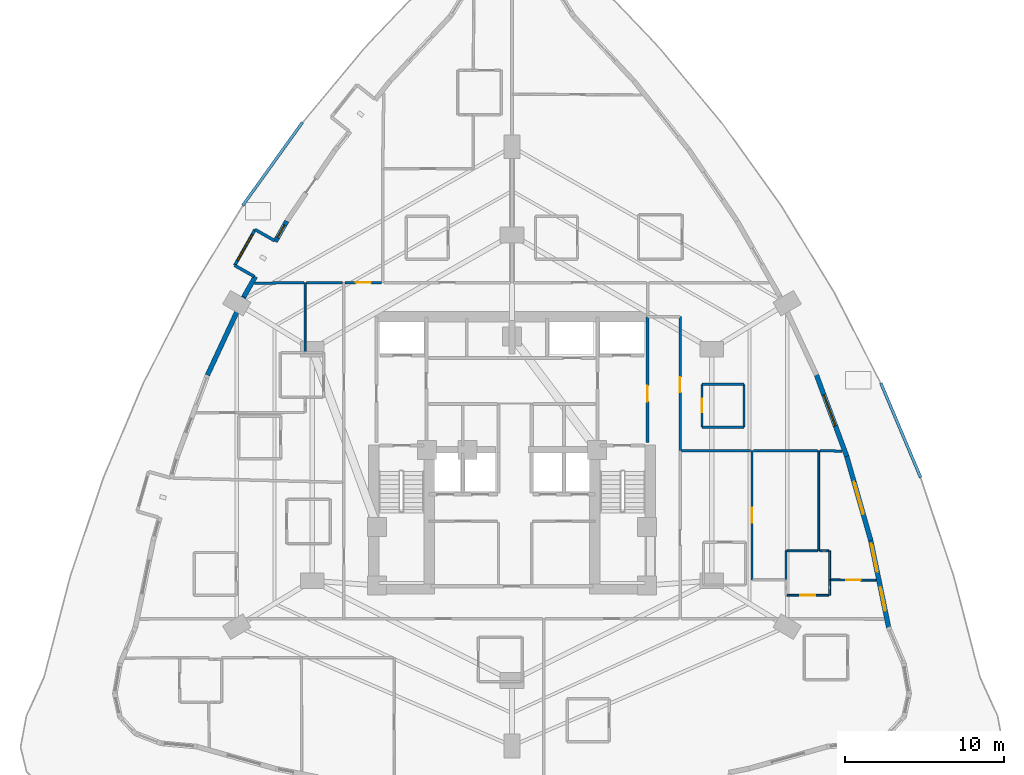
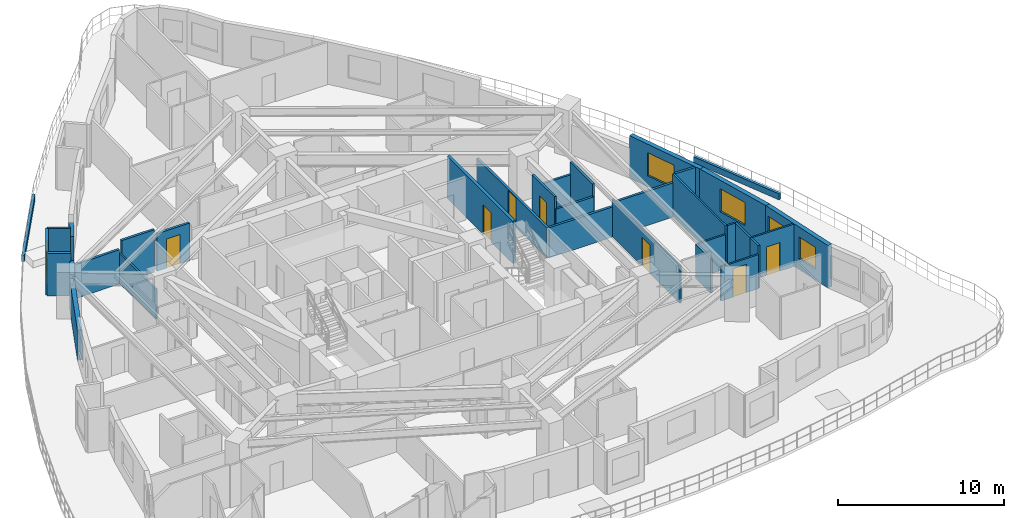
# One storey, part 12 of 17: 33 walls, 7 doors, 6 windows, 13 openings.
"""IFC4 building model written with IfcOpenShell, lengths in metres."""

from ifc_helpers import new_model, si_unit, direction, frame, frame_2d, origin, place, context, subcontext, project, spatial, rectangle, extrude, material, layer, layer_set, type_object, element, fill, save


model = new_model("IFC4")

# Units and contexts
model_context = context("Model", 3, precision=1e-05, world=origin(), true_north=direction((0.0, 1.0)))
body_context = subcontext(model_context, "Body", "Model", "MODEL_VIEW")
ifc_project = project(units=[si_unit("LENGTHUNIT", "METRE"), si_unit("AREAUNIT", "SQUARE_METRE"), si_unit("VOLUMEUNIT", "CUBIC_METRE"), si_unit("PLANEANGLEUNIT", "RADIAN"), si_unit("MASSUNIT", "GRAM", prefix="KILO")], contexts=[model_context])

# Site, building, storey
site_placement = place(None, origin())
site = spatial("IfcSite", under=ifc_project, at=site_placement, CompositionType="ELEMENT")
building_placement = place(site_placement, origin())
building = spatial("IfcBuilding", under=site, at=building_placement, Name="Miruveldt Soraemaru", CompositionType="ELEMENT")
storey_placement = place(building_placement, frame((0.0, 0.0, 29.199951171875)))
storey = spatial("IfcBuildingStorey", under=building, at=storey_placement, Name="L07", CompositionType="ELEMENT", Elevation=29.199951171875)

# Walls
ifc_material_1 = material(Name="White powder-coated aluminium EN AW-6060 T6", Category="aluminium")
ifc_layer_1 = layer(ifc_material_1, 0.18994140625, Name="White powder-coated aluminium EN AW-6060 T6", Category="aluminium")
ifc_layer_set_1 = layer_set([ifc_layer_1], Name="White powder-coated aluminium EN AW-6060 T6")
wall_type_1 = type_object("IfcWallType", Name="WALL-BAY-ALU190", PredefinedType="SOLIDWALL", material=ifc_layer_set_1)
wall_1_placement = place(storey_placement, frame((29.03466796875, 57.241943359375, 0.0), z_axis=(0.0, 0.0, 1.0), x_axis=(-0.869799191674, 0.493405883794, 0.0)))
element("IfcWall", 1, at=wall_1_placement, inside=storey, type_object=wall_type_1, Name="L07 Bay Window Side Cheek 2L", PredefinedType="SOLIDWALL", context=body_context, shape_type="SweptSolid", body=[
    extrude(rectangle(XDim=1.425048828125, YDim=0.18994140625, at=frame_2d((0.71240234375, 0.0))), origin(), (0.0, 0.0, 1.0), 3.125),
])
wall_2_placement = place(storey_placement, frame((26.51220703125, 55.683349609375, 0.0), z_axis=(0.0, 0.0, 1.0), x_axis=(0.869840890461, -0.493332367965, 0.0)))
element("IfcWall", 2, at=wall_2_placement, inside=storey, type_object=wall_type_1, Name="L07 Bay Window Side Cheek 2R", PredefinedType="SOLIDWALL", context=body_context, shape_type="SweptSolid", body=[
    extrude(rectangle(XDim=1.42529296875, YDim=0.18994140625, at=frame_2d((0.712646484375, 0.0))), origin(), (0.0, 0.0, 1.0), 3.125),
])

# Wall, opening, window
wall_3_placement = place(storey_placement, frame((27.795166015625, 57.945068359375, 0.0), z_axis=(0.0, 0.0, 1.0), x_axis=(-0.493396299813, -0.869804628253, 0.0)))
wall_3 = element("IfcWall", 3, at=wall_3_placement, inside=storey, type_object=wall_type_1, Name="L07 Bay Window Front Frame 2", PredefinedType="SOLIDWALL", context=body_context, shape_type="SweptSolid", body=[
    extrude(rectangle(XDim=2.600341796875, YDim=0.18994140625, at=frame_2d((1.30029296875, 0.0))), origin(), (0.0, 0.0, 1.0), 3.125),
])
opening_1_placement = place(wall_3_placement, frame((0.35009765625, 0.0, 0.550048828125)))
opening_1 = element("IfcOpeningElement", 4, at=opening_1_placement, cuts=wall_3, Name="Opening WN-6", PredefinedType="OPENING", context=body_context, shape_type="SweptSolid", body=[
    extrude(rectangle(XDim=1.89990234375, YDim=1.85009765625, at=frame_2d((0.949951171875, 0.925048828125))), frame((0.0, 0.10498046875, 0.0), z_axis=(0.0, -1.0, 0.0), x_axis=(1.0, 0.0, 0.0)), (0.0, 0.0, 1.0), 0.2099609375),
])
ifc_material_2 = material(Name="Triple low-e insulated glazing", Category="glass")
window_type_1 = type_object("IfcWindowType", Name="WIN-BAYW-1900x1850", PartitioningType="SINGLE_PANEL", PredefinedType="WINDOW", material=ifc_material_2)
window_1_placement = place(opening_1_placement, origin())
window_1 = element("IfcWindow", 5, at=window_1_placement, inside=storey, type_object=window_type_1, Name="L07 Projecting Bay Window 2", OverallHeight=1.85009765625, OverallWidth=1.89990234375, PartitioningType="SINGLE_PANEL", PredefinedType="WINDOW", context=body_context, shape_type="SweptSolid", body=[
    extrude(rectangle(XDim=1.89990234375, YDim=1.85009765625, at=frame_2d((0.949951171875, 0.925048828125))), frame((0.0, 0.030029296875, 0.0), z_axis=(0.0, -1.0, 0.0), x_axis=(1.0, 0.0, 0.0)), (0.0, 0.0, 1.0), 0.06005859375),
])
fill(opening_1, window_1)

ifc_material_3 = material(Name="Precast concrete C45/55 (45 MPa)", Category="concrete")
ifc_layer_2 = layer(ifc_material_3, 0.300048828125, Name="Precast concrete C45/55 (45 MPa)", Category="concrete")
ifc_layer_set_2 = layer_set([ifc_layer_2], Name="Precast concrete C45/55 (45 MPa)")
wall_type_2 = type_object("IfcWallType", Name="WALL-EXT-PC300", PredefinedType="SOLIDWALL", material=ifc_layer_set_2)
wall_4_placement = place(storey_placement, frame((29.7978515625, 58.47607421875, 0.0), z_axis=(0.0, 0.0, 1.0), x_axis=(-0.493382949602, -0.86981220102, 0.0)))
wall_4 = element("IfcWall", 6, at=wall_4_placement, inside=storey, type_object=wall_type_2, Name="L07 Precast Pier Wall 10A", PredefinedType="SOLIDWALL", context=body_context, shape_type="SweptSolid", body=[
    extrude(rectangle(XDim=1.47998046875, YDim=0.300048828125, at=frame_2d((0.739990234375, 0.0))), origin(), (0.0, 0.0, 1.0), 2.512939453125),
])
opening_2_placement = place(wall_4_placement, frame((0.2900390625, 0.0, 0.780029296875)))
opening_2 = element("IfcOpeningElement", 7, at=opening_2_placement, cuts=wall_4, Name="Opening WN-7", PredefinedType="OPENING", context=body_context, shape_type="SweptSolid", body=[
    extrude(rectangle(XDim=0.89990234375, YDim=1.5, at=frame_2d((0.449951171875, 0.75))), frame((0.0, 0.16015625, 0.0), z_axis=(0.0, -1.0, 0.0), x_axis=(1.0, 0.0, 0.0)), (0.0, 0.0, 1.0), 0.320068359375),
])
window_type_2 = type_object("IfcWindowType", Name="WIN-PUNCH-900x1500", PartitioningType="SINGLE_PANEL", PredefinedType="WINDOW", material=ifc_material_2)
window_2_placement = place(opening_2_placement, origin())
window_2 = element("IfcWindow", 8, at=window_2_placement, inside=storey, type_object=window_type_2, Name="L07 Punched Triple-Glazed Window 10A.1", OverallHeight=1.5, OverallWidth=0.89990234375, PartitioningType="SINGLE_PANEL", PredefinedType="WINDOW", context=body_context, shape_type="SweptSolid", body=[
    extrude(rectangle(XDim=0.89990234375, YDim=1.5, at=frame_2d((0.449951171875, 0.75))), frame((0.0, 0.030029296875, 0.0), z_axis=(0.0, -1.0, 0.0), x_axis=(1.0, 0.0, 0.0)), (0.0, 0.0, 1.0), 0.06005859375),
])
fill(opening_2, window_2)

# Walls
wall_5_placement = place(storey_placement, frame((27.814453125, 54.979248046875, 0.0), z_axis=(0.0, 0.0, 1.0), x_axis=(-0.493382949602, -0.86981220102, 0.0)))
element("IfcWall", 9, at=wall_5_placement, inside=storey, type_object=wall_type_2, Name="L07 Precast Pier Wall 10B", PredefinedType="SOLIDWALL", context=body_context, shape_type="SweptSolid", body=[
    extrude(rectangle(XDim=1.47998046875, YDim=0.300048828125, at=frame_2d((0.739990234375, 0.0))), origin(), (0.0, 0.0, 1.0), 2.512939453125),
])
wall_6_placement = place(storey_placement, frame((27.116455078125, 53.75390625, 0.0), z_axis=(0.0, 0.0, 1.0), x_axis=(-0.422309467153, -0.906451716284, 0.0)))
element("IfcWall", 10, at=wall_6_placement, inside=storey, type_object=wall_type_2, Name="L07 Precast Concrete Facade Wall 11", PredefinedType="SOLIDWALL", context=body_context, shape_type="SweptSolid", body=[
    extrude(rectangle(XDim=5.500244140625, YDim=0.300048828125, at=frame_2d((2.75, 0.0))), origin(), (0.0, 0.0, 1.0), 2.213134765625),
])

# Wall, openings, windows
wall_7_placement = place(storey_placement, frame((67.763427734375, 32.8056640625, 0.0), z_axis=(0.0, 0.0, 1.0), x_axis=(-0.201578050416, 0.979472454738, 0.0)))
wall_7 = element("IfcWall", 11, at=wall_7_placement, inside=storey, type_object=wall_type_2, Name="L07 Precast Concrete Facade Wall 35", PredefinedType="SOLIDWALL", context=body_context, shape_type="SweptSolid", body=[
    extrude(rectangle(XDim=5.70458984375, YDim=0.300048828125, at=frame_2d((2.852294921875, 0.0))), origin(), (0.0, 0.0, 1.0), 3.125),
])
opening_3_placement = place(wall_7_placement, frame((1.1240234375, 0.0, 0.800048828125)))
opening_3 = element("IfcOpeningElement", 12, at=opening_3_placement, cuts=wall_7, Name="Opening WN-3", PredefinedType="OPENING", context=body_context, shape_type="SweptSolid", body=[
    extrude(rectangle(XDim=1.5, YDim=1.60009765625, at=frame_2d((0.75, 0.800048828125))), frame((0.0, 0.16015625, 0.0), z_axis=(0.0, -1.0, 0.0), x_axis=(1.0, 0.0, 0.0)), (0.0, 0.0, 1.0), 0.320068359375),
])
opening_4_placement = place(wall_7_placement, frame((3.635009765625, 0.0, 0.800048828125)))
opening_4 = element("IfcOpeningElement", 13, at=opening_4_placement, cuts=wall_7, Name="Opening WN-2", PredefinedType="OPENING", context=body_context, shape_type="SweptSolid", body=[
    extrude(rectangle(XDim=1.800048828125, YDim=1.64990234375, at=frame_2d((0.89990234375, 0.824951171875))), frame((0.0, 0.16015625, 0.0), z_axis=(0.0, -1.0, 0.0), x_axis=(1.0, 0.0, 0.0)), (0.0, 0.0, 1.0), 0.320068359375),
])
window_type_3 = type_object("IfcWindowType", Name="WIN-PUNCH-1500x1600", PartitioningType="SINGLE_PANEL", PredefinedType="WINDOW", material=ifc_material_2)
window_3_placement = place(opening_3_placement, origin())
window_3 = element("IfcWindow", 14, at=window_3_placement, inside=storey, type_object=window_type_3, Name="L07 Punched Triple-Glazed Window 35.1", OverallHeight=1.60009765625, OverallWidth=1.5, PartitioningType="SINGLE_PANEL", PredefinedType="WINDOW", context=body_context, shape_type="SweptSolid", body=[
    extrude(rectangle(XDim=1.5, YDim=1.60009765625, at=frame_2d((0.75, 0.800048828125))), frame((0.0, 0.030029296875, 0.0), z_axis=(0.0, -1.0, 0.0), x_axis=(1.0, 0.0, 0.0)), (0.0, 0.0, 1.0), 0.06005859375),
])
fill(opening_3, window_3)
window_type_4 = type_object("IfcWindowType", Name="WIN-PUNCH-1800x1650", PartitioningType="SINGLE_PANEL", PredefinedType="WINDOW", material=ifc_material_2)
window_4_placement = place(opening_4_placement, origin())
window_4 = element("IfcWindow", 15, at=window_4_placement, inside=storey, type_object=window_type_4, Name="L07 Punched Triple-Glazed Window 35.2", OverallHeight=1.64990234375, OverallWidth=1.800048828125, PartitioningType="SINGLE_PANEL", PredefinedType="WINDOW", context=body_context, shape_type="SweptSolid", body=[
    extrude(rectangle(XDim=1.800048828125, YDim=1.64990234375, at=frame_2d((0.89990234375, 0.824951171875))), frame((0.0, 0.030029296875, 0.0), z_axis=(0.0, -1.0, 0.0), x_axis=(1.0, 0.0, 0.0)), (0.0, 0.0, 1.0), 0.06005859375),
])
fill(opening_4, window_4)

# Wall, opening, window
wall_8_placement = place(storey_placement, frame((66.630126953125, 38.3251953125, 0.0), z_axis=(0.0, 0.0, 1.0), x_axis=(-0.274980080947, 0.961449923336, 0.0)))
wall_8 = element("IfcWall", 16, at=wall_8_placement, inside=storey, type_object=wall_type_2, Name="L07 Precast Concrete Facade Wall 36", PredefinedType="SOLIDWALL", context=body_context, shape_type="SweptSolid", body=[
    extrude(rectangle(XDim=5.603271484375, YDim=0.300048828125, at=frame_2d((2.8017578125, 0.0))), origin(), (0.0, 0.0, 1.0), 3.125),
])
opening_5_placement = place(wall_8_placement, frame((1.7509765625, 0.0, 0.800048828125)))
opening_5 = element("IfcOpeningElement", 17, at=opening_5_placement, cuts=wall_8, Name="Opening WN-1", PredefinedType="OPENING", context=body_context, shape_type="SweptSolid", body=[
    extrude(rectangle(XDim=2.10009765625, YDim=1.699951171875, at=frame_2d((1.050048828125, 0.85009765625))), frame((0.0, 0.16015625, 0.0), z_axis=(0.0, -1.0, 0.0), x_axis=(1.0, 0.0, 0.0)), (0.0, 0.0, 1.0), 0.320068359375),
])
window_type_5 = type_object("IfcWindowType", Name="WIN-PUNCH-2100x1700", PartitioningType="SINGLE_PANEL", PredefinedType="WINDOW", material=ifc_material_2)
window_5_placement = place(opening_5_placement, origin())
window_5 = element("IfcWindow", 18, at=window_5_placement, inside=storey, type_object=window_type_5, Name="L07 Punched Triple-Glazed Window 36.1", OverallHeight=1.699951171875, OverallWidth=2.10009765625, PartitioningType="SINGLE_PANEL", PredefinedType="WINDOW", context=body_context, shape_type="SweptSolid", body=[
    extrude(rectangle(XDim=2.10009765625, YDim=1.699951171875, at=frame_2d((1.050048828125, 0.85009765625))), frame((0.0, 0.030029296875, 0.0), z_axis=(0.0, -1.0, 0.0), x_axis=(1.0, 0.0, 0.0)), (0.0, 0.0, 1.0), 0.06005859375),
])
fill(opening_5, window_5)

wall_9_placement = place(storey_placement, frame((65.111083984375, 43.64599609375, 0.0), z_axis=(0.0, 0.0, 1.0), x_axis=(-0.349000413077, 0.93712257025, 0.0)))
wall_9 = element("IfcWall", 19, at=wall_9_placement, inside=storey, type_object=wall_type_2, Name="L07 Precast Concrete Facade Wall 37", PredefinedType="SOLIDWALL", context=body_context, shape_type="SweptSolid", body=[
    extrude(rectangle(XDim=5.53466796875, YDim=0.300048828125, at=frame_2d((2.767333984375, 0.0))), origin(), (0.0, 0.0, 1.0), 3.125),
])
opening_6_placement = place(wall_9_placement, frame((2.041015625, 0.0, 0.800048828125)))
opening_6 = element("IfcOpeningElement", 20, at=opening_6_placement, cuts=wall_9, Name="Opening WN-1", PredefinedType="OPENING", context=body_context, shape_type="SweptSolid", body=[
    extrude(rectangle(XDim=2.10009765625, YDim=1.699951171875, at=frame_2d((1.050048828125, 0.85009765625))), frame((0.0, 0.16015625, 0.0), z_axis=(0.0, -1.0, 0.0), x_axis=(1.0, 0.0, 0.0)), (0.0, 0.0, 1.0), 0.320068359375),
])
window_6_placement = place(opening_6_placement, origin())
window_6 = element("IfcWindow", 21, at=window_6_placement, inside=storey, type_object=window_type_5, Name="L07 Punched Triple-Glazed Window 37.1", OverallHeight=1.699951171875, OverallWidth=2.10009765625, PartitioningType="SINGLE_PANEL", PredefinedType="WINDOW", context=body_context, shape_type="SweptSolid", body=[
    extrude(rectangle(XDim=2.10009765625, YDim=1.699951171875, at=frame_2d((1.050048828125, 0.85009765625))), frame((0.0, 0.030029296875, 0.0), z_axis=(0.0, -1.0, 0.0), x_axis=(1.0, 0.0, 0.0)), (0.0, 0.0, 1.0), 0.06005859375),
])
fill(opening_6, window_6)

# Wall, opening, door
ifc_material_4 = material(Name="Gypsum plasterboard lining", Category="gypsum")
ifc_layer_3 = layer(ifc_material_4, 0.1201171875, Name="Gypsum plasterboard lining", Category="gypsum")
ifc_layer_set_3 = layer_set([ifc_layer_3], Name="Gypsum plasterboard lining")
wall_type_3 = type_object("IfcWallType", Name="WALL-INT-P120", PredefinedType="PARTITIONING", material=ifc_layer_set_3)
wall_10_placement = place(storey_placement, frame((59.135986328125, 35.85009765625, 0.0), z_axis=(0.0, 0.0, 1.0), x_axis=(0.0, 1.0, 0.0)))
wall_10 = element("IfcWall", 22, at=wall_10_placement, inside=storey, type_object=wall_type_3, Name="L07 Partition Wall 77", PredefinedType="PARTITIONING", context=body_context, shape_type="SweptSolid", body=[
    extrude(rectangle(XDim=8.14990234375, YDim=0.1201171875, at=frame_2d((4.074951171875, 0.0))), origin(), (0.0, 0.0, 1.0), 2.762939453125),
])
opening_7_placement = place(wall_10_placement, frame((3.614990234375, 0.0, 0.0)))
opening_7 = element("IfcOpeningElement", 23, at=opening_7_placement, cuts=wall_10, Name="Opening D3A", PredefinedType="OPENING", context=body_context, shape_type="SweptSolid", body=[
    extrude(rectangle(XDim=0.919921875, YDim=2.10009765625, at=frame_2d((0.4599609375, 1.050048828125))), frame((0.0, 0.070068359375, 0.0), z_axis=(0.0, -1.0, 0.0), x_axis=(1.0, 0.0, 0.0)), (0.0, 0.0, 1.0), 0.14013671875),
])
ifc_material_5 = material(Name="Anodised aluminium EN AW-6063 T6", Category="aluminium")
door_type_1 = type_object("IfcDoorType", Name="DOOR-INT-920", OperationType="NOTDEFINED", PredefinedType="DOOR", material=ifc_material_5)
door_1_placement = place(opening_7_placement, origin())
door_1 = element("IfcDoor", 24, at=door_1_placement, inside=storey, type_object=door_type_1, Name="L07 Unit 0707 BD1 Door", OperationType="SINGLE_SWING_RIGHT", OverallHeight=2.10009765625, OverallWidth=0.919921875, PredefinedType="DOOR", context=body_context, shape_type="SweptSolid", body=[
    extrude(rectangle(XDim=0.919921875, YDim=2.10009765625, at=frame_2d((0.4599609375, 1.050048828125))), frame((0.0, 0.02490234375, 0.0), z_axis=(0.0, -1.0, 0.0), x_axis=(1.0, 0.0, 0.0)), (0.0, 0.0, 1.0), 0.050048828125),
])
fill(opening_7, door_1)

wall_11_placement = place(storey_placement, frame((66.971923828125, 35.8330078125, 0.0), z_axis=(0.0, 0.0, 1.0), x_axis=(-0.999982416868, 0.005930088883, 0.0)))
wall_11 = element("IfcWall", 25, at=wall_11_placement, inside=storey, type_object=wall_type_3, Name="L07 Partition Wall 78", PredefinedType="PARTITIONING", context=body_context, shape_type="SweptSolid", body=[
    extrude(rectangle(XDim=2.8818359375, YDim=0.1201171875, at=frame_2d((1.44091796875, 0.0))), origin(), (0.0, 0.0, 1.0), 3.125),
])
opening_8_placement = place(wall_11_placement, frame((0.98095703125, 0.0, 0.0)))
opening_8 = element("IfcOpeningElement", 26, at=opening_8_placement, cuts=wall_11, Name="Opening D3A", PredefinedType="OPENING", context=body_context, shape_type="SweptSolid", body=[
    extrude(rectangle(XDim=0.919921875, YDim=2.10009765625, at=frame_2d((0.4599609375, 1.050048828125))), frame((0.0, 0.070068359375, 0.0), z_axis=(0.0, -1.0, 0.0), x_axis=(1.0, 0.0, 0.0)), (0.0, 0.0, 1.0), 0.14013671875),
])
door_2_placement = place(opening_8_placement, origin())
door_2 = element("IfcDoor", 27, at=door_2_placement, inside=storey, type_object=door_type_1, Name="L07 Unit 0707 BD2 Door", OperationType="SINGLE_SWING_LEFT", OverallHeight=2.10009765625, OverallWidth=0.919921875, PredefinedType="DOOR", context=body_context, shape_type="SweptSolid", body=[
    extrude(rectangle(XDim=0.919921875, YDim=2.10009765625, at=frame_2d((0.4599609375, 1.050048828125))), frame((0.0, 0.02490234375, 0.0), z_axis=(0.0, -1.0, 0.0), x_axis=(1.0, 0.0, 0.0)), (0.0, 0.0, 1.0), 0.050048828125),
])
fill(opening_8, door_2)

wall_12_placement = place(storey_placement, frame((61.340087890625, 34.8798828125, 0.0), z_axis=(0.0, 0.0, 1.0), x_axis=(1.0, 0.0, 0.0)))
wall_12 = element("IfcWall", 28, at=wall_12_placement, inside=storey, type_object=wall_type_3, Name="L07 Partition Wall 75", PredefinedType="PARTITIONING", context=body_context, shape_type="SweptSolid", body=[
    extrude(rectangle(XDim=2.6298828125, YDim=0.1201171875, at=frame_2d((1.31494140625, 0.0))), origin(), (0.0, 0.0, 1.0), 2.512939453125),
])
opening_9_placement = place(wall_12_placement, frame((0.85498046875, 0.0, 0.0)))
opening_9 = element("IfcOpeningElement", 29, at=opening_9_placement, cuts=wall_12, Name="Opening D3A", PredefinedType="OPENING", context=body_context, shape_type="SweptSolid", body=[
    extrude(rectangle(XDim=0.919921875, YDim=2.10009765625, at=frame_2d((0.4599609375, 1.050048828125))), frame((0.0, 0.070068359375, 0.0), z_axis=(0.0, -1.0, 0.0), x_axis=(1.0, 0.0, 0.0)), (0.0, 0.0, 1.0), 0.14013671875),
])
door_3_placement = place(opening_9_placement, origin())
door_3 = element("IfcDoor", 30, at=door_3_placement, inside=storey, type_object=door_type_1, Name="L07 Unit 0707 KIT Door", OperationType="SINGLE_SWING_LEFT", OverallHeight=2.10009765625, OverallWidth=0.919921875, PredefinedType="DOOR", context=body_context, shape_type="SweptSolid", body=[
    extrude(rectangle(XDim=0.919921875, YDim=2.10009765625, at=frame_2d((0.4599609375, 1.050048828125))), frame((0.0, 0.02490234375, 0.0), z_axis=(0.0, -1.0, 0.0), x_axis=(1.0, 0.0, 0.0)), (0.0, 0.0, 1.0), 0.050048828125),
])
fill(opening_9, door_3)

# Walls
wall_13_placement = place(storey_placement, frame((63.347900390625, 37.679931640625, 0.0), z_axis=(0.0, 0.0, 1.0), x_axis=(0.0, 1.0, 0.0)))
element("IfcWall", 31, at=wall_13_placement, inside=storey, type_object=wall_type_3, Name="L07 Partition Wall 84", PredefinedType="PARTITIONING", context=body_context, shape_type="SweptSolid", body=[
    extrude(rectangle(XDim=6.320068359375, YDim=0.1201171875, at=frame_2d((3.16015625, 0.0))), origin(), (0.0, 0.0, 1.0), 3.125),
])
wall_14_placement = place(storey_placement, frame((30.949951171875, 54.60009765625, 0.0), z_axis=(0.0, 0.0, 1.0), x_axis=(0.0, -1.0, 0.0)))
element("IfcWall", 32, at=wall_14_placement, inside=storey, type_object=wall_type_3, Name="L07 Partition Wall 48", PredefinedType="PARTITIONING", context=body_context, shape_type="SweptSolid", body=[
    extrude(rectangle(XDim=4.420166015625, YDim=0.1201171875, at=frame_2d((2.2099609375, 0.0))), origin(), (0.0, 0.0, 1.0), 2.219970703125),
])
wall_15_placement = place(storey_placement, frame((63.2880859375, 37.679931640625, 0.0), z_axis=(0.0, 0.0, 1.0), x_axis=(-1.0, 0.0, 0.0)))
element("IfcWall", 33, at=wall_15_placement, inside=storey, type_object=wall_type_3, Name="L07 Partition Wall 80", PredefinedType="PARTITIONING", context=body_context, shape_type="SweptSolid", body=[
    extrude(rectangle(XDim=1.947998046875, YDim=0.1201171875, at=frame_2d((0.97412109375, 0.0))), origin(), (0.0, 0.0, 1.0), 2.512939453125),
])
wall_16_placement = place(storey_placement, frame((61.280029296875, 37.679931640625, 0.0), z_axis=(0.0, 0.0, 1.0), x_axis=(0.0, -1.0, 0.0)))
element("IfcWall", 34, at=wall_16_placement, inside=storey, type_object=wall_type_3, Name="L07 Partition Wall 81", PredefinedType="PARTITIONING", context=body_context, shape_type="SweptSolid", body=[
    extrude(rectangle(XDim=1.829833984375, YDim=0.1201171875, at=frame_2d((0.9150390625, 0.0))), origin(), (0.0, 0.0, 1.0), 2.512939453125),
])
wall_17_placement = place(storey_placement, frame((64.030029296875, 35.85009765625, 0.0), z_axis=(0.0, 0.0, 1.0), x_axis=(0.0, 1.0, 0.0)))
element("IfcWall", 35, at=wall_17_placement, inside=storey, type_object=wall_type_3, Name="L07 Partition Wall 82", PredefinedType="PARTITIONING", context=body_context, shape_type="SweptSolid", body=[
    extrude(rectangle(XDim=1.829833984375, YDim=0.1201171875, at=frame_2d((0.9150390625, 0.0))), origin(), (0.0, 0.0, 1.0), 3.125),
])
wall_18_placement = place(storey_placement, frame((64.030029296875, 34.8798828125, 0.0), z_axis=(0.0, 0.0, 1.0), x_axis=(0.0, 1.0, 0.0)))
element("IfcWall", 36, at=wall_18_placement, inside=storey, type_object=wall_type_3, Name="L07 Partition Wall 73", PredefinedType="PARTITIONING", context=body_context, shape_type="SweptSolid", body=[
    extrude(rectangle(XDim=0.97021484375, YDim=0.1201171875, at=frame_2d((0.485107421875, 0.0))), origin(), (0.0, 0.0, 1.0), 3.125),
])
wall_19_placement = place(storey_placement, frame((63.969970703125, 37.679931640625, 0.0), z_axis=(0.0, 0.0, 1.0), x_axis=(-1.0, 0.0, 0.0)))
element("IfcWall", 37, at=wall_19_placement, inside=storey, type_object=wall_type_3, Name="L07 Partition Wall 83", PredefinedType="PARTITIONING", context=body_context, shape_type="SweptSolid", body=[
    extrude(rectangle(XDim=0.56201171875, YDim=0.1201171875, at=frame_2d((0.281005859375, 0.0))), origin(), (0.0, 0.0, 1.0), 3.125),
])

# Wall, opening, door
ifc_layer_4 = layer(ifc_material_4, 0.14990234375, Name="Gypsum plasterboard lining", Category="gypsum")
ifc_layer_set_4 = layer_set([ifc_layer_4], Name="Gypsum plasterboard lining")
wall_type_4 = type_object("IfcWallType", Name="WALL-INT-PLUMB", PredefinedType="PLUMBINGWALL", material=ifc_layer_set_4)
wall_20_placement = place(storey_placement, frame((55.97998046875, 48.179931640625, 0.0), z_axis=(0.0, 0.0, 1.0), x_axis=(0.0, -1.0, 0.0)))
wall_20 = element("IfcWall", 38, at=wall_20_placement, inside=storey, type_object=wall_type_4, Name="L07 Partition Wall 64", PredefinedType="PLUMBINGWALL", context=body_context, shape_type="SweptSolid", body=[
    extrude(rectangle(XDim=2.699951171875, YDim=0.14990234375, at=frame_2d((1.35009765625, 0.0))), origin(), (0.0, 0.0, 1.0), 3.125),
])
opening_10_placement = place(wall_20_placement, frame((0.909912109375, 0.0, 0.0)))
opening_10 = element("IfcOpeningElement", 39, at=opening_10_placement, cuts=wall_20, Name="Opening FD3", PredefinedType="OPENING", context=body_context, shape_type="SweptSolid", body=[
    extrude(rectangle(XDim=0.85009765625, YDim=2.10009765625, at=frame_2d((0.425048828125, 1.050048828125))), frame((0.0, 0.0849609375, 0.0), z_axis=(0.0, -1.0, 0.0), x_axis=(1.0, 0.0, 0.0)), (0.0, 0.0, 1.0), 0.169921875),
])
door_type_2 = type_object("IfcDoorType", Name="DOOR-FD3-850", OperationType="NOTDEFINED", PredefinedType="DOOR", material=ifc_material_5)
door_4_placement = place(opening_10_placement, origin())
door_4 = element("IfcDoor", 40, at=door_4_placement, inside=storey, type_object=door_type_2, Name="L07 Unit CL06 BTH Door", OperationType="SINGLE_SWING_RIGHT", OverallHeight=2.10009765625, OverallWidth=0.85009765625, PredefinedType="DOOR", context=body_context, shape_type="SweptSolid", body=[
    extrude(rectangle(XDim=0.85009765625, YDim=2.10009765625, at=frame_2d((0.425048828125, 1.050048828125))), frame((0.0, 0.02490234375, 0.0), z_axis=(0.0, -1.0, 0.0), x_axis=(1.0, 0.0, 0.0)), (0.0, 0.0, 1.0), 0.050048828125),
])
fill(opening_10, door_4)

# Walls
wall_21_placement = place(storey_placement, frame((58.6298828125, 45.47998046875, 0.0), z_axis=(0.0, 0.0, 1.0), x_axis=(0.0, 1.0, 0.0)))
element("IfcWall", 41, at=wall_21_placement, inside=storey, type_object=wall_type_4, Name="L07 Partition Wall 107", PredefinedType="PLUMBINGWALL", context=body_context, shape_type="SweptSolid", body=[
    extrude(rectangle(XDim=2.699951171875, YDim=0.14990234375, at=frame_2d((1.35009765625, 0.0))), origin(), (0.0, 0.0, 1.0), 3.125),
])
for number, where, z_axis, x_axis, name in (
    (42, (55.97998046875, 45.47998046875, 0.0), (0.0, 0.0, 1.0), (1.0, 0.0, 0.0), "L07 Partition Wall 65"),
    (43, (58.6298828125, 48.179931640625, 0.0), (0.0, 0.0, 1.0), (-1.0, 0.0, 0.0), "L07 Partition Wall 108"),
):
    element("IfcWall", number, at=place(storey_placement, frame(where, z_axis=z_axis, x_axis=x_axis)), inside=storey, type_object=wall_type_4, Name=name, PredefinedType="PLUMBINGWALL", context=body_context, shape_type="SweptSolid", body=[
        extrude(rectangle(XDim=2.64990234375, YDim=0.14990234375, at=frame_2d((1.324951171875, 0.0))), origin(), (0.0, 0.0, 1.0), 2.219970703125),
    ])

# Wall, opening, door
ifc_material_6 = material(Name="Concrete C40/50 (40 MPa)", Category="concrete")
ifc_layer_5 = layer(ifc_material_6, 0.159912109375, Name="Concrete C40/50 (40 MPa)", Category="concrete")
ifc_layer_set_5 = layer_set([ifc_layer_5], Name="Concrete C40/50 (40 MPa)")
wall_type_5 = type_object("IfcWallType", Name="WALL-INT-RC160", PredefinedType="SOLIDWALL", material=ifc_layer_set_5)
wall_22_placement = place(storey_placement, frame((54.60009765625, 44.0029296875, 0.0), z_axis=(0.0, 0.0, 1.0), x_axis=(0.0, 1.0, 0.0)))
wall_22 = element("IfcWall", 44, at=wall_22_placement, inside=storey, type_object=wall_type_5, Name="L07 Partition Wall 6", PredefinedType="SOLIDWALL", context=body_context, shape_type="SweptSolid", body=[
    extrude(rectangle(XDim=8.447021484375, YDim=0.159912109375, at=frame_2d((4.2236328125, 0.0))), origin(), (0.0, 0.0, 1.0), 2.219970703125),
])
opening_11_placement = place(wall_22_placement, frame((3.678955078125, 0.0, 0.0)))
opening_11 = element("IfcOpeningElement", 45, at=opening_11_placement, cuts=wall_22, Name="Opening FD2", PredefinedType="OPENING", context=body_context, shape_type="SweptSolid", body=[
    extrude(rectangle(XDim=0.949951171875, YDim=2.14990234375, at=frame_2d((0.47509765625, 1.074951171875))), frame((0.0, 0.08984375, 0.0), z_axis=(0.0, -1.0, 0.0), x_axis=(1.0, 0.0, 0.0)), (0.0, 0.0, 1.0), 0.179931640625),
])
door_type_3 = type_object("IfcDoorType", Name="DOOR-FD2-950", OperationType="NOTDEFINED", PredefinedType="DOOR", material=ifc_material_5)
door_5_placement = place(opening_11_placement, origin())
door_5 = element("IfcDoor", 46, at=door_5_placement, inside=storey, type_object=door_type_3, Name="L07 Unit CL06 Entrance Fire Door", OperationType="SINGLE_SWING_LEFT", OverallHeight=2.14990234375, OverallWidth=0.949951171875, PredefinedType="DOOR", context=body_context, shape_type="SweptSolid", body=[
    extrude(rectangle(XDim=0.949951171875, YDim=2.14990234375, at=frame_2d((0.47509765625, 1.074951171875))), frame((0.0, 0.02490234375, 0.0), z_axis=(0.0, -1.0, 0.0), x_axis=(1.0, 0.0, 0.0)), (0.0, 0.0, 1.0), 0.050048828125),
])
fill(opening_11, door_5)

wall_23_placement = place(storey_placement, frame((35.76611328125, 54.60009765625, 0.0), z_axis=(0.0, 0.0, 1.0), x_axis=(-1.0, 0.0, 0.0)))
wall_23 = element("IfcWall", 47, at=wall_23_placement, inside=storey, type_object=wall_type_5, Name="L07 Partition Wall 1", PredefinedType="SOLIDWALL", context=body_context, shape_type="SweptSolid", body=[
    extrude(rectangle(XDim=2.2861328125, YDim=0.159912109375, at=frame_2d((1.14306640625, 0.0))), origin(), (0.0, 0.0, 1.0), 2.762939453125),
])
opening_12_placement = place(wall_23_placement, frame((0.66796875, 0.0, 0.0)))
opening_12 = element("IfcOpeningElement", 48, at=opening_12_placement, cuts=wall_23, Name="Opening FD2", PredefinedType="OPENING", context=body_context, shape_type="SweptSolid", body=[
    extrude(rectangle(XDim=0.949951171875, YDim=2.14990234375, at=frame_2d((0.47509765625, 1.074951171875))), frame((0.0, 0.08984375, 0.0), z_axis=(0.0, -1.0, 0.0), x_axis=(1.0, 0.0, 0.0)), (0.0, 0.0, 1.0), 0.179931640625),
])
door_6_placement = place(opening_12_placement, origin())
door_6 = element("IfcDoor", 49, at=door_6_placement, inside=storey, type_object=door_type_3, Name="L07 Unit CL01 Entrance Fire Door", OperationType="SINGLE_SWING_LEFT", OverallHeight=2.14990234375, OverallWidth=0.949951171875, PredefinedType="DOOR", context=body_context, shape_type="SweptSolid", body=[
    extrude(rectangle(XDim=0.949951171875, YDim=2.14990234375, at=frame_2d((0.47509765625, 1.074951171875))), frame((0.0, 0.02490234375, 0.0), z_axis=(0.0, -1.0, 0.0), x_axis=(1.0, 0.0, 0.0)), (0.0, 0.0, 1.0), 0.050048828125),
])
fill(opening_12, door_6)

# Walls
wall_24_placement = place(storey_placement, frame((54.679931640625, 44.0, 0.0), z_axis=(0.0, 0.0, 1.0), x_axis=(1.0, 0.0, 0.0)))
element("IfcWall", 50, at=wall_24_placement, inside=storey, type_object=wall_type_5, Name="L07 Partition Wall 66", PredefinedType="SOLIDWALL", context=body_context, shape_type="SweptSolid", body=[
    extrude(rectangle(XDim=4.3759765625, YDim=0.159912109375, at=frame_2d((2.18798828125, 0.0))), origin(), (0.0, 0.0, 1.0), 2.219970703125),
])
wall_25_placement = place(storey_placement, frame((59.216064453125, 44.0, 0.0), z_axis=(0.0, 0.0, 1.0), x_axis=(1.0, 0.0, 0.0)))
element("IfcWall", 51, at=wall_25_placement, inside=storey, type_object=wall_type_5, Name="L07 Partition Wall 67", PredefinedType="SOLIDWALL", context=body_context, shape_type="SweptSolid", body=[
    extrude(rectangle(XDim=4.052001953125, YDim=0.159912109375, at=frame_2d((2.02587890625, 0.0))), origin(), (0.0, 0.0, 1.0), 2.512939453125),
])
wall_26_placement = place(storey_placement, frame((27.764892578125, 54.55810546875, 0.0), z_axis=(0.0, 0.0, 1.0), x_axis=(0.999912778046, 0.013207433502, 0.0)))
element("IfcWall", 52, at=wall_26_placement, inside=storey, type_object=wall_type_5, Name="L07 Partition Wall 15", PredefinedType="SOLIDWALL", context=body_context, shape_type="SweptSolid", body=[
    extrude(rectangle(XDim=3.10546875, YDim=0.159912109375, at=frame_2d((1.552734375, 0.0))), origin(), (0.0, 0.0, 1.0), 2.512939453125),
])
wall_27_placement = place(storey_placement, frame((31.030029296875, 54.60009765625, 0.0), z_axis=(0.0, 0.0, 1.0), x_axis=(1.0, 0.0, 0.0)))
element("IfcWall", 53, at=wall_27_placement, inside=storey, type_object=wall_type_5, Name="L07 Partition Wall 14", PredefinedType="SOLIDWALL", context=body_context, shape_type="SweptSolid", body=[
    extrude(rectangle(XDim=2.2900390625, YDim=0.159912109375, at=frame_2d((1.14501953125, 0.0))), origin(), (0.0, 0.0, 1.0), 3.125),
])
wall_28_placement = place(storey_placement, frame((63.427978515625, 43.998046875, 0.0), z_axis=(0.0, 0.0, 1.0), x_axis=(0.999794886493, -0.020253023066, 0.0)))
element("IfcWall", 54, at=wall_28_placement, inside=storey, type_object=wall_type_5, Name="L07 Partition Wall 68", PredefinedType="SOLIDWALL", context=body_context, shape_type="SweptSolid", body=[
    extrude(rectangle(XDim=1.38623046875, YDim=0.159912109375, at=frame_2d((0.693115234375, 0.0))), origin(), (0.0, 0.0, 1.0), 3.125),
])

# Wall, opening, door
ifc_layer_6 = layer(ifc_material_6, 0.199951171875, Name="Concrete C40/50 (40 MPa)", Category="concrete")
ifc_layer_set_6 = layer_set([ifc_layer_6], Name="Concrete C40/50 (40 MPa)")
wall_type_6 = type_object("IfcWallType", Name="WALL-INT-RC200", PredefinedType="SOLIDWALL", material=ifc_layer_set_6)
wall_29_placement = place(storey_placement, frame((52.550048828125, 44.5, 0.0), z_axis=(0.0, 0.0, 1.0), x_axis=(0.0, 1.0, 0.0)))
wall_29 = element("IfcWall", 55, at=wall_29_placement, inside=storey, type_object=wall_type_6, Name="L07 Core Compartment Wall FFE-OUT", PredefinedType="SOLIDWALL", context=body_context, shape_type="SweptSolid", body=[
    extrude(rectangle(XDim=7.919921875, YDim=0.199951171875, at=frame_2d((3.9599609375, 0.0))), origin(), (0.0, 0.0, 1.0), 3.125),
])
opening_13_placement = place(wall_29_placement, frame((2.60009765625, 0.0, 0.0)))
opening_13 = element("IfcOpeningElement", 56, at=opening_13_placement, cuts=wall_29, Name="Opening FD1", PredefinedType="OPENING", context=body_context, shape_type="SweptSolid", body=[
    extrude(rectangle(XDim=1.0, YDim=2.14990234375, at=frame_2d((0.5, 1.074951171875))), frame((0.0, 0.10986328125, 0.0), z_axis=(0.0, -1.0, 0.0), x_axis=(1.0, 0.0, 0.0)), (0.0, 0.0, 1.0), 0.219970703125),
])
door_type_4 = type_object("IfcDoorType", Name="DOOR-FD1-1000", OperationType="NOTDEFINED", PredefinedType="DOOR", material=ifc_material_5)
door_7_placement = place(opening_13_placement, frame((1.0, 0.0, 0.0), z_axis=(0.0, 0.0, 1.0), x_axis=(-1.0, 0.0, 0.0)))
door_7 = element("IfcDoor", 57, at=door_7_placement, inside=storey, type_object=door_type_4, Name="L07 East Firefighting Lobby Exit Door", OperationType="SINGLE_SWING_RIGHT", OverallHeight=2.14990234375, OverallWidth=1.0, PredefinedType="DOOR", context=body_context, shape_type="SweptSolid", body=[
    extrude(rectangle(XDim=1.0, YDim=2.14990234375, at=frame_2d((0.5, 1.074951171875))), frame((0.0, 0.02490234375, 0.0), z_axis=(0.0, -1.0, 0.0), x_axis=(1.0, 0.0, 0.0)), (0.0, 0.0, 1.0), 0.050048828125),
])
fill(opening_13, door_7)

# Walls
ifc_layer_7 = layer(ifc_material_3, 0.179931640625, Name="Precast concrete C45/55 (45 MPa)", Category="concrete")
ifc_layer_set_7 = layer_set([ifc_layer_7], Name="Precast concrete C45/55 (45 MPa)")
wall_type_7 = type_object("IfcWallType", Name="WALL-PAR-180", PredefinedType="PARAPET", material=ifc_layer_set_7)
for number, where, z_axis, x_axis, name in (
    (58, (30.785400390625, 64.71142578125, 0.0), (0.0, 0.0, 1.0), (-0.583408738334, -0.812178702032, 0.0), "L07 Terrace Upstand Parapet 8"),
    (59, (69.775390625, 42.302734375, 0.0), (0.0, 0.0, 1.0), (-0.388372782788, 0.92150235029, 0.0), "L07 Terrace Upstand Parapet 36"),
):
    element("IfcWall", number, at=place(storey_placement, frame(where, z_axis=z_axis, x_axis=x_axis)), inside=storey, type_object=wall_type_7, Name=name, PredefinedType="PARAPET", context=body_context, shape_type="SweptSolid", body=[
        extrude(rectangle(XDim=6.462890625, YDim=0.179931640625, at=frame_2d((3.2314453125, 0.0))), origin(), (0.0, 0.0, 1.0), 0.449951171875),
    ])

save(model, "model.ifc")
